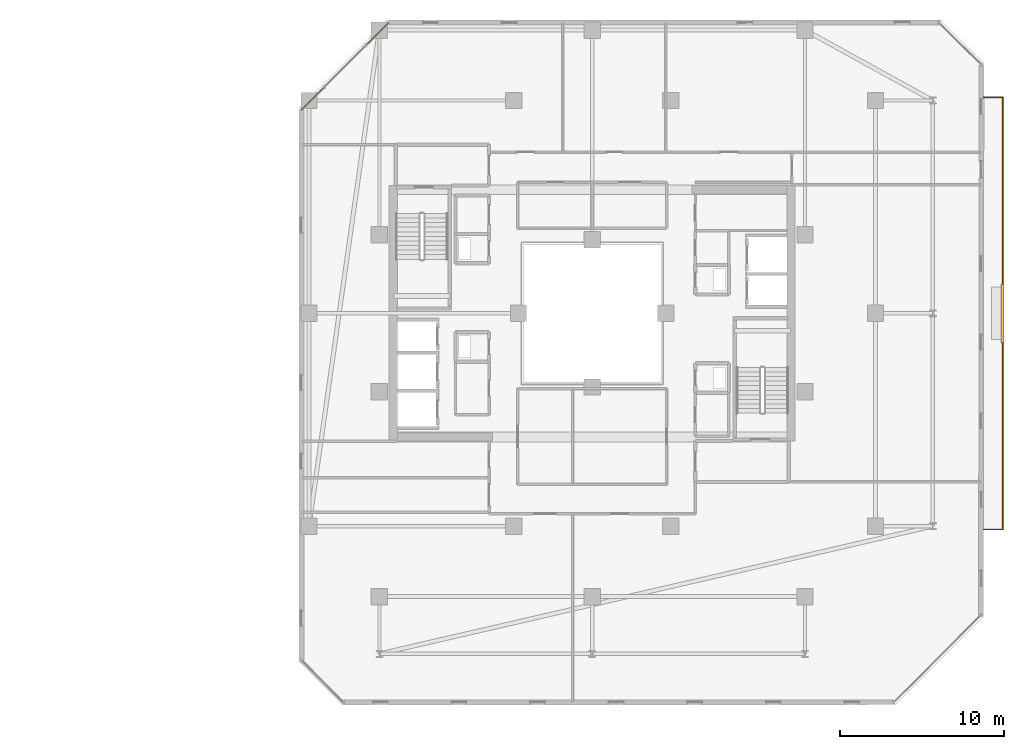
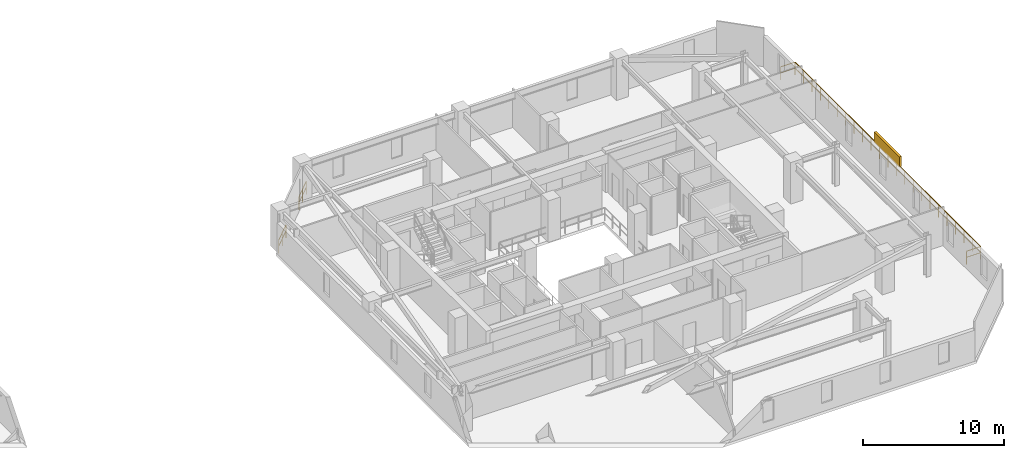
# One storey, part 32 of 32: 3 railings, 1 shading device.
"""IFC4 building model written with IfcOpenShell, lengths in metres."""

import ifcopenshell
import ifcopenshell.guid

model = None  # the IFC model being written
_history = None  # IfcOwnerHistory: only IFC2X3 demands one
_inside = {}  # id of a spatial element -> (the spatial element, [elements in it])
_under = {}  # id of a project, library or spatial element -> (it, [spatial elements below it])
_declared = {}  # id of a project -> (the project, [libraries it declares])
_typed = {}  # id of a type object -> (the type object, [elements of that type])
_made_of = {}  # id of a material, layer set ... -> (it, [elements and type objects made of it])


def new_model(schema):
    """Start an empty IFC model of exactly this schema.

    Asked for "IFC4X3", IfcOpenShell would pick the latest addendum, in which some entities
    have other attributes; the version numbers below select the first issue.
    IFC2X3 requires an IfcOwnerHistory on every rooted entity: one is made here for all.
    """
    global model, _history
    if schema == "IFC4X3":
        model = ifcopenshell.file(schema_version=(4, 3, 0, 0))
    else:
        model = ifcopenshell.file(schema=schema)
    _inside.clear()
    _under.clear()
    _declared.clear()
    _typed.clear()
    _made_of.clear()
    _history = None
    if model.schema == "IFC2X3":
        org = make("IfcOrganization", Name="unknown")
        user = make(
            "IfcPersonAndOrganization",
            ThePerson=make("IfcPerson", FamilyName="unknown"),
            TheOrganization=org,
        )
        app = make(
            "IfcApplication",
            ApplicationDeveloper=org,
            Version="unknown",
            ApplicationFullName="unknown",
            ApplicationIdentifier="unknown",
        )
        _history = make(
            "IfcOwnerHistory",
            OwningUser=user,
            OwningApplication=app,
            ChangeAction="ADDED",
            CreationDate=0,
        )
    return model


def make(cls, **values):
    """One entity of the class cls with the attributes given. An attribute that is None is left unset."""
    return model.create_entity(
        cls, **{name: value for name, value in values.items() if value is not None}
    )


def rooted(cls, **values):
    """An entity with a GlobalId (a new one), such as an element, a storey or a relation."""
    return make(cls, GlobalId=ifcopenshell.guid.new(), OwnerHistory=_history, **values)


def si_unit(unit_type, name, prefix=None):
    """IfcSIUnit, for example si_unit("LENGTHUNIT", "METRE", prefix="MILLI")."""
    return make("IfcSIUnit", UnitType=unit_type, Prefix=prefix, Name=name)


def assignment(units):
    """IfcUnitAssignment: the units of a project."""
    return None if units is None else make("IfcUnitAssignment", Units=units)


def point(xyz):
    """IfcCartesianPoint."""
    return None if xyz is None else make("IfcCartesianPoint", Coordinates=xyz)


def direction(xyz):
    """IfcDirection."""
    return None if xyz is None else make("IfcDirection", DirectionRatios=xyz)


def frame(location, z_axis=None, x_axis=None):
    """IfcAxis2Placement3D, a coordinate frame: its origin and axes. An axis left out is left unset."""
    return make(
        "IfcAxis2Placement3D",
        Location=point(location),
        Axis=direction(z_axis),
        RefDirection=direction(x_axis),
    )


def frame_2d(location, x_axis=None):
    """IfcAxis2Placement2D, a coordinate frame in the plane: its origin and x axis."""
    return make(
        "IfcAxis2Placement2D", Location=point(location), RefDirection=direction(x_axis)
    )


def origin():
    """The frame at (0, 0, 0) with its axes left unset."""
    return frame((0.0, 0.0, 0.0))


def origin_2d():
    """The frame at (0, 0) in the plane with its x axis left unset."""
    return frame_2d((0.0, 0.0))


def place(relative_to, where):
    """IfcLocalPlacement: puts the frame where relative to a parent placement (None: the world)."""
    return make(
        "IfcLocalPlacement", PlacementRelTo=relative_to, RelativePlacement=where
    )


def context(
    kind, dimensions, precision=None, world=None, true_north=None, identifier=None
):
    """IfcGeometricRepresentationContext, for example the 3D "Model" context."""
    return make(
        "IfcGeometricRepresentationContext",
        ContextIdentifier=identifier,
        ContextType=kind,
        CoordinateSpaceDimension=dimensions,
        Precision=precision,
        WorldCoordinateSystem=world,
        TrueNorth=true_north,
    )


def subcontext(parent, identifier, kind, view, scale=None):
    """IfcGeometricRepresentationSubContext, for example "Body" below "Model"."""
    return make(
        "IfcGeometricRepresentationSubContext",
        ContextIdentifier=identifier,
        ContextType=kind,
        ParentContext=parent,
        TargetScale=scale,
        TargetView=view,
    )


def project(units=None, contexts=None):
    """IfcProject with its units and contexts."""
    return rooted(
        "IfcProject",
        Name="project",
        RepresentationContexts=contexts,
        UnitsInContext=assignment(units),
    )


def spatial(cls, under=None, at=None, **own):
    """A site, building, storey or space (cls), placed at a placement, below another one or the project."""
    s = rooted(cls, ObjectPlacement=at, **own)
    if under is not None:
        _under.setdefault(under.id(), (under, []))[1].append(s)
    return s


def profile(cls, at=None, kind="AREA", **sizes):
    """A parametric profile (cls). Its sizes go by their IFC names, for example OverallWidth=200.0."""
    return make(cls, ProfileType=kind, Position=at, **sizes)


def rectangle(**sizes):
    """IfcRectangleProfileDef."""
    return profile("IfcRectangleProfileDef", **sizes)


def extrude(swept, where, along, depth):
    """IfcExtrudedAreaSolid: the profile swept, set in the frame where, extruded along a direction by depth."""
    return make(
        "IfcExtrudedAreaSolid",
        SweptArea=swept,
        Position=where,
        ExtrudedDirection=direction(along),
        Depth=depth,
    )


def shape(context_of_items, identifier, shape_type, items):
    """IfcShapeRepresentation: the items that make up one representation, for example the "Body"."""
    return make(
        "IfcShapeRepresentation",
        ContextOfItems=context_of_items,
        RepresentationIdentifier=identifier,
        RepresentationType=shape_type,
        Items=items,
    )


def material(Name=None, Category=None):
    """IfcMaterial."""
    return make("IfcMaterial", Name=Name, Category=Category)


def made_of(thing, what):
    """Note that an element or type object is made of a material, layer set ...; save() writes the relation."""
    if what is not None:
        _made_of.setdefault(what.id(), (what, []))[1].append(thing)
    return thing


def type_object(cls, material=None, **own):
    """A type object (cls), such as IfcWallType, which elements share."""
    return made_of(rooted(cls, **own), material)


def element(
    cls,
    number,
    at=None,
    inside=None,
    cuts=None,
    type_object=None,
    material=None,
    context=None,
    identifier="Body",
    shape_type=None,
    held_by="IfcProductDefinitionShape",
    body=None,
    shapes=None,
    **own,
):
    """One element of the class cls, such as IfcWall. Its Tag is "e" and its number.

    at: its placement. inside: the storey or other place that contains it. cuts: it is an
    opening in that element (IfcRelVoidsElement). A single representation is given by context,
    identifier, shape_type and body (its items); several are given by shapes. held_by: the class
    of the entity that holds the representations. save() writes the other relations.
    """
    e = rooted(cls, Tag="e%d" % number, ObjectPlacement=at, **own)
    if body is not None:
        shapes = [shape(context, identifier, shape_type, body)]
    if shapes is not None:
        e.Representation = make(held_by, Representations=shapes)
    if inside is not None:
        _inside.setdefault(inside.id(), (inside, []))[1].append(e)
    if cuts is not None:
        rooted(
            "IfcRelVoidsElement", RelatingBuildingElement=cuts, RelatedOpeningElement=e
        )
    if type_object is not None:
        _typed.setdefault(type_object.id(), (type_object, []))[1].append(e)
    return made_of(e, material)


def aggregate(whole, parts):
    """IfcRelAggregates: a whole, such as a stair, and the parts it consists of."""
    return rooted("IfcRelAggregates", RelatingObject=whole, RelatedObjects=parts)


def save(model, path):
    """Write the relations noted so far, then the file.

    IfcRelAggregates (storeys below a building ...), IfcRelContainedInSpatialStructure (elements
    in a storey), IfcRelDefinesByType, IfcRelAssociatesMaterial and IfcRelDeclares: one each for
    every whole, place, type object, material and project.
    """
    for whole, parts in _under.values():
        aggregate(whole, parts)
    for where, things in _inside.values():
        rooted(
            "IfcRelContainedInSpatialStructure",
            RelatedElements=things,
            RelatingStructure=where,
        )
    for kind, things in _typed.values():
        rooted("IfcRelDefinesByType", RelatedObjects=things, RelatingType=kind)
    for what, things in _made_of.values():
        rooted("IfcRelAssociatesMaterial", RelatedObjects=things, RelatingMaterial=what)
    for by, libraries in _declared.values():
        rooted("IfcRelDeclares", RelatingContext=by, RelatedDefinitions=libraries)
    model.write(path)


model = new_model("IFC4")

# Units and contexts
model_context = context("Model", 3, precision=1e-05, world=origin(), true_north=direction((0.0, 1.0)))
body_context = subcontext(model_context, "Body", "Model", "MODEL_VIEW")
ifc_project = project(units=[si_unit("LENGTHUNIT", "METRE"), si_unit("AREAUNIT", "SQUARE_METRE"), si_unit("VOLUMEUNIT", "CUBIC_METRE"), si_unit("PLANEANGLEUNIT", "RADIAN"), si_unit("MASSUNIT", "GRAM", prefix="KILO")], contexts=[model_context])

# Site, building, storey
site_placement = place(None, origin())
site = spatial("IfcSite", under=ifc_project, at=site_placement, CompositionType="ELEMENT")
building_placement = place(site_placement, origin())
building = spatial("IfcBuilding", under=site, at=building_placement, Name="Thornwick Lancets Civic Towers", CompositionType="ELEMENT")
storey_placement = place(building_placement, frame((0.0, 0.0, 240.300048828125)))
storey = spatial("IfcBuildingStorey", under=building, at=storey_placement, Name="L64", CompositionType="ELEMENT", Elevation=240.300048828125)

# Railings
ifc_material_1 = material(Name="Terracotta-capped laminated glass balustrade S355", Category="masonry")
railing_type = type_object("IfcRailingType", Name="RAIL_TERR_GUARD", PredefinedType="GUARDRAIL", material=ifc_material_1)
for number, where, name in (
    (1, (76.076416015625, 44.755615234375, 0.0), "L64 Tower B Chamfer Spandrel Guard E5-1"),
    (2, (72.144287109375, 40.823486328125, 0.0), "L64 Tower B Chamfer Spandrel Guard E5-2"),
):
    element("IfcRailing", number, at=place(storey_placement, frame(where)), inside=storey, type_object=railing_type, Name=name, PredefinedType="GUARDRAIL", context=body_context, shape_type="SweptSolid", body=[
        extrude(rectangle(XDim=0.048095703125, YDim=0.048095703125, at=origin_2d()), frame((0.0, 0.0, 1.1259765625), z_axis=(-0.707106781187, -0.707106781187, 0.0), x_axis=(0.707106781187, -0.707106781187, 0.0)), (0.0, 0.0, 1.0), 1.979736328125),
        extrude(rectangle(XDim=0.0419921875, YDim=0.0419921875, at=origin_2d()), frame((-0.026611328125, -0.026611328125, 0.597900390625), z_axis=(-0.707106781187, -0.707106781187, 0.0), x_axis=(0.707106781187, -0.707106781187, 0.0)), (0.0, 0.0, 1.0), 0.914794921875),
        extrude(rectangle(XDim=0.0419921875, YDim=0.0419921875, at=origin_2d()), frame((-0.7265625, -0.7265625, 0.597900390625), z_axis=(-0.707106781187, -0.707106781187, 0.0), x_axis=(0.707106781187, -0.707106781187, 0.0)), (0.0, 0.0, 1.0), 0.914794921875),
        extrude(rectangle(XDim=0.0419921875, YDim=0.0419921875, at=origin_2d()), origin(), (0.0, 0.0, 1.0), 1.095703125),
        extrude(rectangle(XDim=0.0419921875, YDim=0.0419921875, at=origin_2d()), frame((-0.699951171875, -0.699951171875, 0.0)), (0.0, 0.0, 1.0), 1.095703125),
        extrude(rectangle(XDim=0.0419921875, YDim=0.0419921875, at=origin_2d()), frame((-1.39990234375, -1.39990234375, 0.0)), (0.0, 0.0, 1.0), 1.095703125),
    ])
railing_placement = place(storey_placement, frame((112.39990234375, 13.800048828125, 0.0)))
element("IfcRailing", 3, at=railing_placement, inside=storey, type_object=railing_type, Name="L64 Tower B Balcony Guard E", PredefinedType="GUARDRAIL", context=body_context, shape_type="SweptSolid", body=[
    extrude(rectangle(XDim=0.048095703125, YDim=0.048095703125, at=origin_2d()), frame((0.0, 0.0, 1.1259765625), z_axis=(1.0, 0.0, 0.0), x_axis=(0.0, 1.0, 0.0)), (0.0, 0.0, 1.0), 1.138916015625),
    extrude(rectangle(XDim=0.0419921875, YDim=0.0419921875, at=origin_2d()), frame((0.03759765625, 0.0, 0.597900390625), z_axis=(1.0, 0.0, 0.0), x_axis=(0.0, 1.0, 0.0)), (0.0, 0.0, 1.0), 1.09521484375),
    extrude(rectangle(XDim=0.048095703125, YDim=0.048095703125, at=origin_2d()), frame((1.170166015625, 0.03125, 1.1259765625), z_axis=(0.0, 1.0, 0.0), x_axis=(-1.0, 0.0, 0.0)), (0.0, 0.0, 1.0), 26.33740234375),
    extrude(rectangle(XDim=0.0419921875, YDim=0.0419921875, at=origin_2d()), frame((1.170166015625, 0.03759765625, 0.597900390625), z_axis=(0.0, 1.0, 0.0), x_axis=(-1.0, 0.0, 0.0)), (0.0, 0.0, 1.0), 1.125),
    extrude(rectangle(XDim=0.0419921875, YDim=0.0419921875, at=origin_2d()), frame((1.170166015625, 1.237548828125, 0.597900390625), z_axis=(0.0, 1.0, 0.0), x_axis=(-1.0, 0.0, 0.0)), (0.0, 0.0, 1.0), 1.125),
    extrude(rectangle(XDim=0.0419921875, YDim=0.0419921875, at=origin_2d()), frame((1.170166015625, 2.4375, 0.597900390625), z_axis=(0.0, 1.0, 0.0), x_axis=(-1.0, 0.0, 0.0)), (0.0, 0.0, 1.0), 1.125),
    extrude(rectangle(XDim=0.0419921875, YDim=0.0419921875, at=origin_2d()), frame((1.170166015625, 3.637451171875, 0.597900390625), z_axis=(0.0, 1.0, 0.0), x_axis=(-1.0, 0.0, 0.0)), (0.0, 0.0, 1.0), 1.125),
    extrude(rectangle(XDim=0.0419921875, YDim=0.0419921875, at=origin_2d()), frame((1.170166015625, 4.83740234375, 0.597900390625), z_axis=(0.0, 1.0, 0.0), x_axis=(-1.0, 0.0, 0.0)), (0.0, 0.0, 1.0), 1.125),
    extrude(rectangle(XDim=0.0419921875, YDim=0.0419921875, at=origin_2d()), frame((1.170166015625, 6.037353515625, 0.597900390625), z_axis=(0.0, 1.0, 0.0), x_axis=(-1.0, 0.0, 0.0)), (0.0, 0.0, 1.0), 1.125),
    extrude(rectangle(XDim=0.0419921875, YDim=0.0419921875, at=origin_2d()), frame((1.170166015625, 7.237548828125, 0.597900390625), z_axis=(0.0, 1.0, 0.0), x_axis=(-1.0, 0.0, 0.0)), (0.0, 0.0, 1.0), 1.125),
    extrude(rectangle(XDim=0.0419921875, YDim=0.0419921875, at=origin_2d()), frame((1.170166015625, 8.4375, 0.597900390625), z_axis=(0.0, 1.0, 0.0), x_axis=(-1.0, 0.0, 0.0)), (0.0, 0.0, 1.0), 1.125),
    extrude(rectangle(XDim=0.0419921875, YDim=0.0419921875, at=origin_2d()), frame((1.170166015625, 9.637451171875, 0.597900390625), z_axis=(0.0, 1.0, 0.0), x_axis=(-1.0, 0.0, 0.0)), (0.0, 0.0, 1.0), 1.125),
    extrude(rectangle(XDim=0.0419921875, YDim=0.0419921875, at=origin_2d()), frame((1.170166015625, 10.83740234375, 0.597900390625), z_axis=(0.0, 1.0, 0.0), x_axis=(-1.0, 0.0, 0.0)), (0.0, 0.0, 1.0), 1.125),
    extrude(rectangle(XDim=0.0419921875, YDim=0.0419921875, at=origin_2d()), frame((1.170166015625, 12.037353515625, 0.597900390625), z_axis=(0.0, 1.0, 0.0), x_axis=(-1.0, 0.0, 0.0)), (0.0, 0.0, 1.0), 1.125),
    extrude(rectangle(XDim=0.0419921875, YDim=0.0419921875, at=origin_2d()), frame((1.170166015625, 13.237548828125, 0.597900390625), z_axis=(0.0, 1.0, 0.0), x_axis=(-1.0, 0.0, 0.0)), (0.0, 0.0, 1.0), 1.125),
    extrude(rectangle(XDim=0.0419921875, YDim=0.0419921875, at=origin_2d()), frame((1.170166015625, 14.4375, 0.597900390625), z_axis=(0.0, 1.0, 0.0), x_axis=(-1.0, 0.0, 0.0)), (0.0, 0.0, 1.0), 1.125),
    extrude(rectangle(XDim=0.0419921875, YDim=0.0419921875, at=origin_2d()), frame((1.170166015625, 15.637451171875, 0.597900390625), z_axis=(0.0, 1.0, 0.0), x_axis=(-1.0, 0.0, 0.0)), (0.0, 0.0, 1.0), 1.125),
    extrude(rectangle(XDim=0.0419921875, YDim=0.0419921875, at=origin_2d()), frame((1.170166015625, 16.83740234375, 0.597900390625), z_axis=(0.0, 1.0, 0.0), x_axis=(-1.0, 0.0, 0.0)), (0.0, 0.0, 1.0), 1.125),
    extrude(rectangle(XDim=0.0419921875, YDim=0.0419921875, at=origin_2d()), frame((1.170166015625, 18.037353515625, 0.597900390625), z_axis=(0.0, 1.0, 0.0), x_axis=(-1.0, 0.0, 0.0)), (0.0, 0.0, 1.0), 1.125),
    extrude(rectangle(XDim=0.0419921875, YDim=0.0419921875, at=origin_2d()), frame((1.170166015625, 19.2373046875, 0.597900390625), z_axis=(0.0, 1.0, 0.0), x_axis=(-1.0, 0.0, 0.0)), (0.0, 0.0, 1.0), 1.125),
    extrude(rectangle(XDim=0.0419921875, YDim=0.0419921875, at=origin_2d()), frame((1.170166015625, 20.4375, 0.597900390625), z_axis=(0.0, 1.0, 0.0), x_axis=(-1.0, 0.0, 0.0)), (0.0, 0.0, 1.0), 1.125),
    extrude(rectangle(XDim=0.0419921875, YDim=0.0419921875, at=origin_2d()), frame((1.170166015625, 21.637451171875, 0.597900390625), z_axis=(0.0, 1.0, 0.0), x_axis=(-1.0, 0.0, 0.0)), (0.0, 0.0, 1.0), 1.125),
    extrude(rectangle(XDim=0.0419921875, YDim=0.0419921875, at=origin_2d()), frame((1.170166015625, 22.83740234375, 0.597900390625), z_axis=(0.0, 1.0, 0.0), x_axis=(-1.0, 0.0, 0.0)), (0.0, 0.0, 1.0), 1.125),
    extrude(rectangle(XDim=0.0419921875, YDim=0.0419921875, at=origin_2d()), frame((1.170166015625, 24.037353515625, 0.597900390625), z_axis=(0.0, 1.0, 0.0), x_axis=(-1.0, 0.0, 0.0)), (0.0, 0.0, 1.0), 1.125),
    extrude(rectangle(XDim=0.0419921875, YDim=0.0419921875, at=origin_2d()), frame((1.170166015625, 25.2373046875, 0.597900390625), z_axis=(0.0, 1.0, 0.0), x_axis=(-1.0, 0.0, 0.0)), (0.0, 0.0, 1.0), 1.125),
    extrude(rectangle(XDim=0.048095703125, YDim=0.048095703125, at=origin_2d()), frame((1.138916015625, 26.39990234375, 1.1259765625), z_axis=(-1.0, 0.0, 0.0), x_axis=(0.0, -1.0, 0.0)), (0.0, 0.0, 1.0), 1.138916015625),
    extrude(rectangle(XDim=0.0419921875, YDim=0.0419921875, at=origin_2d()), frame((1.132568359375, 26.39990234375, 0.597900390625), z_axis=(-1.0, 0.0, 0.0), x_axis=(0.0, -1.0, 0.0)), (0.0, 0.0, 1.0), 1.09521484375),
    extrude(rectangle(XDim=0.0419921875, YDim=0.0419921875, at=origin_2d()), origin(), (0.0, 0.0, 1.0), 1.095703125),
    extrude(rectangle(XDim=0.0419921875, YDim=0.0419921875, at=origin_2d()), frame((1.170166015625, 0.0, 0.0)), (0.0, 0.0, 1.0), 1.095703125),
    extrude(rectangle(XDim=0.0419921875, YDim=0.0419921875, at=origin_2d()), frame((1.170166015625, 1.199951171875, 0.0)), (0.0, 0.0, 1.0), 1.095703125),
    extrude(rectangle(XDim=0.0419921875, YDim=0.0419921875, at=origin_2d()), frame((1.170166015625, 2.39990234375, 0.0)), (0.0, 0.0, 1.0), 1.095703125),
    extrude(rectangle(XDim=0.0419921875, YDim=0.0419921875, at=origin_2d()), frame((1.170166015625, 3.60009765625, 0.0)), (0.0, 0.0, 1.0), 1.095703125),
    extrude(rectangle(XDim=0.0419921875, YDim=0.0419921875, at=origin_2d()), frame((1.170166015625, 4.800048828125, 0.0)), (0.0, 0.0, 1.0), 1.095703125),
    extrude(rectangle(XDim=0.0419921875, YDim=0.0419921875, at=origin_2d()), frame((1.170166015625, 6.0, 0.0)), (0.0, 0.0, 1.0), 1.095703125),
    extrude(rectangle(XDim=0.0419921875, YDim=0.0419921875, at=origin_2d()), frame((1.170166015625, 7.199951171875, 0.0)), (0.0, 0.0, 1.0), 1.095703125),
    extrude(rectangle(XDim=0.0419921875, YDim=0.0419921875, at=origin_2d()), frame((1.170166015625, 8.39990234375, 0.0)), (0.0, 0.0, 1.0), 1.095703125),
    extrude(rectangle(XDim=0.0419921875, YDim=0.0419921875, at=origin_2d()), frame((1.170166015625, 9.599853515625, 0.0)), (0.0, 0.0, 1.0), 1.095703125),
    extrude(rectangle(XDim=0.0419921875, YDim=0.0419921875, at=origin_2d()), frame((1.170166015625, 10.800048828125, 0.0)), (0.0, 0.0, 1.0), 1.095703125),
    extrude(rectangle(XDim=0.0419921875, YDim=0.0419921875, at=origin_2d()), frame((1.170166015625, 12.0, 0.0)), (0.0, 0.0, 1.0), 1.095703125),
    extrude(rectangle(XDim=0.0419921875, YDim=0.0419921875, at=origin_2d()), frame((1.170166015625, 13.199951171875, 0.0)), (0.0, 0.0, 1.0), 1.095703125),
    extrude(rectangle(XDim=0.0419921875, YDim=0.0419921875, at=origin_2d()), frame((1.170166015625, 14.39990234375, 0.0)), (0.0, 0.0, 1.0), 1.095703125),
    extrude(rectangle(XDim=0.0419921875, YDim=0.0419921875, at=origin_2d()), frame((1.170166015625, 15.599853515625, 0.0)), (0.0, 0.0, 1.0), 1.095703125),
    extrude(rectangle(XDim=0.0419921875, YDim=0.0419921875, at=origin_2d()), frame((1.170166015625, 16.800048828125, 0.0)), (0.0, 0.0, 1.0), 1.095703125),
    extrude(rectangle(XDim=0.0419921875, YDim=0.0419921875, at=origin_2d()), frame((1.170166015625, 18.0, 0.0)), (0.0, 0.0, 1.0), 1.095703125),
    extrude(rectangle(XDim=0.0419921875, YDim=0.0419921875, at=origin_2d()), frame((1.170166015625, 19.199951171875, 0.0)), (0.0, 0.0, 1.0), 1.095703125),
    extrude(rectangle(XDim=0.0419921875, YDim=0.0419921875, at=origin_2d()), frame((1.170166015625, 20.39990234375, 0.0)), (0.0, 0.0, 1.0), 1.095703125),
    extrude(rectangle(XDim=0.0419921875, YDim=0.0419921875, at=origin_2d()), frame((1.170166015625, 21.599853515625, 0.0)), (0.0, 0.0, 1.0), 1.095703125),
    extrude(rectangle(XDim=0.0419921875, YDim=0.0419921875, at=origin_2d()), frame((1.170166015625, 22.7998046875, 0.0)), (0.0, 0.0, 1.0), 1.095703125),
    extrude(rectangle(XDim=0.0419921875, YDim=0.0419921875, at=origin_2d()), frame((1.170166015625, 24.0, 0.0)), (0.0, 0.0, 1.0), 1.095703125),
    extrude(rectangle(XDim=0.0419921875, YDim=0.0419921875, at=origin_2d()), frame((1.170166015625, 25.199951171875, 0.0)), (0.0, 0.0, 1.0), 1.095703125),
    extrude(rectangle(XDim=0.0419921875, YDim=0.0419921875, at=origin_2d()), frame((1.170166015625, 26.39990234375, 0.0)), (0.0, 0.0, 1.0), 1.095703125),
    extrude(rectangle(XDim=0.0419921875, YDim=0.0419921875, at=origin_2d()), frame((0.0, 26.39990234375, 0.0)), (0.0, 0.0, 1.0), 1.095703125),
])

# Shading device
ifc_material_2 = material(Name="Extruded terracotta baguette solar screen", Category="masonry")
shading_device_type = type_object("IfcShadingDeviceType", Name="SHADE_BAGUETTE", PredefinedType="JALOUSIE", material=ifc_material_2)
shading_device_placement = place(storey_placement, frame((113.56005859375, 27.0, 1.1201171875), z_axis=(0.0, 0.0, 1.0), x_axis=(0.0, 1.0, 0.0)))
element("IfcShadingDevice", 4, at=shading_device_placement, inside=storey, type_object=shading_device_type, Name="L64 Tower B Terracotta Baguette Screen E", PredefinedType="JALOUSIE", context=body_context, shape_type="SweptSolid", body=[
    extrude(rectangle(XDim=3.60009765625, YDim=0.179931640625, at=origin_2d()), origin(), (0.0, 0.0, 1.0), 0.89990234375),
])

save(model, "model.ifc")
